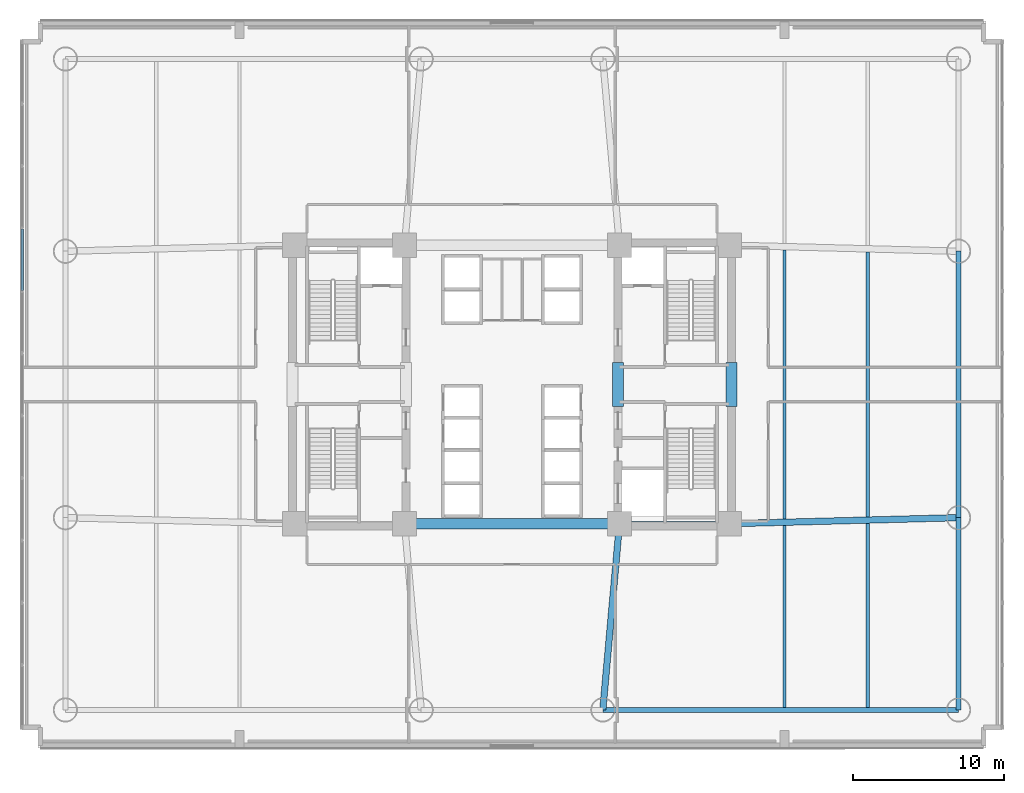
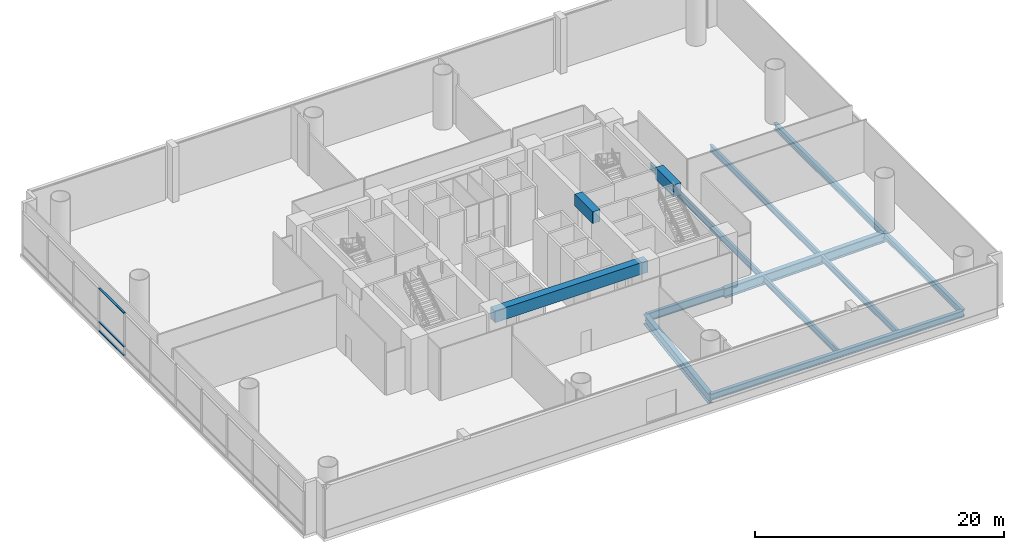
# One storey, part 3 of 15: 13 beams, 3 members, 1 element without a shape of its own.
"""IFC4 building model written with IfcOpenShell, lengths in metres."""

from ifc_helpers import new_model, si_unit, direction, frame, origin, origin_2d, place, context, subcontext, project, spatial, rectangle, i_section, extrude, source, transform, mapped, material, layer, layer_set, material_profile, profile_set, type_object, element, aggregate, save


model = new_model("IFC4")

# Units and contexts
model_context = context("Model", 3, precision=1e-05, world=origin(), true_north=direction((0.0, 1.0)))
body_context = subcontext(model_context, "Body", "Model", "MODEL_VIEW")
ifc_project = project(units=[si_unit("LENGTHUNIT", "METRE"), si_unit("AREAUNIT", "SQUARE_METRE"), si_unit("VOLUMEUNIT", "CUBIC_METRE"), si_unit("PLANEANGLEUNIT", "RADIAN"), si_unit("MASSUNIT", "GRAM", prefix="KILO")], contexts=[model_context])

# Site, building, storey
site_placement = place(None, origin())
site = spatial("IfcSite", under=ifc_project, at=site_placement, CompositionType="ELEMENT")
building_placement = place(site_placement, origin())
building = spatial("IfcBuilding", under=site, at=building_placement, Name="Zahravan Cultural Tower", CompositionType="ELEMENT")
storey_placement = place(building_placement, frame((0.0, 0.0, 7.199951171875)))
storey = spatial("IfcBuildingStorey", under=building, at=storey_placement, Name="L01", CompositionType="ELEMENT", Elevation=7.199951171875)

# Beams
ifc_material_1 = material(Name="Concrete C50/60", Category="concrete")
ifc_material_profile_1 = material_profile(ifc_material_1, rectangle(XDim=0.699951171875, YDim=1.14990234375, at=origin_2d()), Name="RC700X1150")
ifc_profile_set_1 = profile_set([ifc_material_profile_1], Name="Concrete C50/60")
beam_type_1 = type_object("IfcBeamType", Name="BM-LN-RC700X1150", PredefinedType="LINTEL", material=ifc_profile_set_1)
shared_shape_1 = source(origin(), body_context, "Body", "SweptSolid", [
    extrude(rectangle(XDim=0.699951171875, YDim=1.14990234375, at=origin_2d()), origin(), (0.0, 0.0, 1.0), 14.2001953125),
])
beam_1_placement = place(storey_placement, frame((28.89990234375, 17.800048828125, 4.525146484375), z_axis=(1.0, 0.0, 0.0), x_axis=(0.0, 1.0, 0.0)))
element("IfcBeam", 1, at=beam_1_placement, inside=storey, type_object=beam_type_1, Name="L01 Beam LN-L01-S", PredefinedType="LINTEL", context=body_context, shape_type="MappedRepresentation", body=[
    mapped(shared_shape_1, transform((0.0, 0.0, 0.0), x_axis=(1.0, 0.0, 0.0), y_axis=(0.0, 1.0, 0.0), z_axis=(0.0, 0.0, 1.0), scale=1.0)),
])
shared_shape_2 = source(origin(), body_context, "Body", "SweptSolid", [
    extrude(rectangle(XDim=0.699951171875, YDim=1.14990234375, at=origin_2d()), origin(), (0.0, 0.0, 1.0), 2.89990234375),
])
for number, where, z_axis, x_axis, name in (
    (2, (43.0, 25.550048828125, 4.525146484375), (0.0, 1.0, 0.0), (-1.0, 0.0, 0.0), "L01 Beam LN-L01-PEW"),
    (3, (50.5, 25.550048828125, 4.525146484375), (0.0, 1.0, 0.0), (-1.0, 0.0, 0.0), "L01 Beam LN-L01-PEE"),
):
    element("IfcBeam", number, at=place(storey_placement, frame(where, z_axis=z_axis, x_axis=x_axis)), inside=storey, type_object=beam_type_1, Name=name, PredefinedType="LINTEL", context=body_context, shape_type="MappedRepresentation", body=[
        mapped(shared_shape_2, transform((0.0, 0.0, 0.0), x_axis=(1.0, 0.0, 0.0), y_axis=(0.0, 1.0, 0.0), z_axis=(0.0, 0.0, 1.0), scale=1.0)),
    ])
ifc_material_2 = material(Name="Steel ASTM A992 Grade 50", Category="steel")
ifc_material_profile_2 = material_profile(ifc_material_2, i_section(OverallWidth=0.26611328125, OverallDepth=0.780029296875, WebThickness=0.0166015625, FlangeThickness=0.030029296875, FilletRadius=0.01904296875, at=origin_2d()), Name="W30X148")
ifc_profile_set_2 = profile_set([ifc_material_profile_2], Name="Steel ASTM A992 Grade 50")
beam_type_2 = type_object("IfcBeamType", Name="BM-G-W30X148", PredefinedType="BEAM", material=ifc_profile_set_2)
shared_shape_3 = source(origin(), body_context, "Body", "SweptSolid", [
    extrude(i_section(OverallWidth=0.26611328125, OverallDepth=0.780029296875, WebThickness=0.0166015625, FlangeThickness=0.030029296875, FilletRadius=0.01904296875, at=origin_2d()), origin(), (0.0, 0.0, 1.0), 7.25),
])
beam_2_placement = place(storey_placement, frame((43.10009765625, 17.800048828125, -0.68994140625), z_axis=(1.0, 0.0, 0.0), x_axis=(0.0, 1.0, 0.0)))
element("IfcBeam", 4, at=beam_2_placement, inside=storey, type_object=beam_type_2, Name="L01 Beam BG-L01-04", PredefinedType="BEAM", context=body_context, shape_type="MappedRepresentation", body=[
    mapped(shared_shape_3, transform((0.0, 0.0, 0.0), x_axis=(1.0, 0.0, 0.0), y_axis=(0.0, 1.0, 0.0), z_axis=(0.0, 0.0, 1.0), scale=1.0)),
])
ifc_material_profile_3 = material_profile(ifc_material_2, i_section(OverallWidth=0.326904296875, OverallDepth=0.6220703125, WebThickness=0.015380859375, FlangeThickness=0.0244140625, FilletRadius=0.014892578125, at=origin_2d()), Name="W24X131")
ifc_profile_set_3 = profile_set([ifc_material_profile_3], Name="Steel ASTM A992 Grade 50")
beam_type_3 = type_object("IfcBeamType", Name="BM-SP-W24X131", PredefinedType="SPANDREL", material=ifc_profile_set_3)
shared_shape_4 = source(origin(), body_context, "Body", "SweptSolid", [
    extrude(i_section(OverallWidth=0.326904296875, OverallDepth=0.6220703125, WebThickness=0.015380859375, FlangeThickness=0.0244140625, FilletRadius=0.014892578125, at=origin_2d()), origin(), (0.0, 0.0, 1.0), 23.5),
])
beam_3_placement = place(storey_placement, frame((42.0, 5.5, -0.61083984375), z_axis=(1.0, 0.0, 0.0), x_axis=(0.0, 1.0, 0.0)))
element("IfcBeam", 5, at=beam_3_placement, inside=storey, type_object=beam_type_3, Name="L01 Beam BG-L01-09", PredefinedType="SPANDREL", context=body_context, shape_type="MappedRepresentation", body=[
    mapped(shared_shape_4, transform((0.0, 0.0, 0.0), x_axis=(1.0, 0.0, 0.0), y_axis=(0.0, 1.0, 0.0), z_axis=(0.0, 0.0, 1.0), scale=1.0)),
])
shared_shape_5 = source(origin(), body_context, "Body", "SweptSolid", [
    extrude(i_section(OverallWidth=0.326904296875, OverallDepth=0.6220703125, WebThickness=0.015380859375, FlangeThickness=0.0244140625, FilletRadius=0.014892578125, at=origin_2d()), origin(), (0.0, 0.0, 1.0), 12.699951171875),
])
beam_4_placement = place(storey_placement, frame((65.5, 5.5, -0.61083984375), z_axis=(0.0, 1.0, 0.0), x_axis=(-1.0, 0.0, 0.0)))
element("IfcBeam", 6, at=beam_4_placement, inside=storey, type_object=beam_type_3, Name="L01 Beam BG-L01-16", PredefinedType="SPANDREL", context=body_context, shape_type="MappedRepresentation", body=[
    mapped(shared_shape_5, transform((0.0, 0.0, 0.0), x_axis=(1.0, 0.0, 0.0), y_axis=(0.0, 1.0, 0.0), z_axis=(0.0, 0.0, 1.0), scale=1.0)),
])
shared_shape_6 = source(origin(), body_context, "Body", "SweptSolid", [
    extrude(i_section(OverallWidth=0.326904296875, OverallDepth=0.6220703125, WebThickness=0.015380859375, FlangeThickness=0.0244140625, FilletRadius=0.014892578125, at=origin_2d()), origin(), (0.0, 0.0, 1.0), 17.60009765625),
])
beam_5_placement = place(storey_placement, frame((65.5, 18.199951171875, -0.61083984375), z_axis=(0.0, 1.0, 0.0), x_axis=(-1.0, 0.0, 0.0)))
element("IfcBeam", 7, at=beam_5_placement, inside=storey, type_object=beam_type_3, Name="L01 Beam BG-L01-17", PredefinedType="SPANDREL", context=body_context, shape_type="MappedRepresentation", body=[
    mapped(shared_shape_6, transform((0.0, 0.0, 0.0), x_axis=(1.0, 0.0, 0.0), y_axis=(0.0, 1.0, 0.0), z_axis=(0.0, 0.0, 1.0), scale=1.0)),
])
ifc_material_profile_4 = material_profile(ifc_material_2, i_section(OverallWidth=0.425048828125, OverallDepth=0.965087890625, WebThickness=0.0283203125, FlangeThickness=0.051025390625, FilletRadius=0.02392578125, at=origin_2d()), Name="W36X361")
ifc_profile_set_4 = profile_set([ifc_material_profile_4], Name="Steel ASTM A992 Grade 50")
beam_type_4 = type_object("IfcBeamType", Name="BM-G-W36X361", PredefinedType="BEAM", material=ifc_profile_set_4)
shared_shape_7 = source(origin(), body_context, "Body", "SweptSolid", [
    extrude(i_section(OverallWidth=0.425048828125, OverallDepth=0.965087890625, WebThickness=0.0283203125, FlangeThickness=0.051025390625, FilletRadius=0.02392578125, at=origin_2d()), origin(), (0.0, 0.0, 1.0), 15.1552734375),
])
beam_6_placement = place(storey_placement, frame((65.5, 18.199951171875, -0.782470703125), z_axis=(-0.999651797923, -0.026387173188, 0.0), x_axis=(0.026387173188, -0.999651797923, 0.0)))
element("IfcBeam", 8, at=beam_6_placement, inside=storey, type_object=beam_type_4, Name="L01 Beam BG-L01-21", PredefinedType="BEAM", context=body_context, shape_type="MappedRepresentation", body=[
    mapped(shared_shape_7, transform((0.0, 0.0, 0.0), x_axis=(1.0, 0.0, 0.0), y_axis=(0.0, 1.0, 0.0), z_axis=(0.0, 0.0, 1.0), scale=1.0)),
])
shared_shape_8 = source(origin(), body_context, "Body", "SweptSolid", [
    extrude(i_section(OverallWidth=0.425048828125, OverallDepth=0.965087890625, WebThickness=0.0283203125, FlangeThickness=0.051025390625, FilletRadius=0.02392578125, at=origin_2d()), origin(), (0.0, 0.0, 1.0), 12.34912109375),
])
beam_7_placement = place(storey_placement, frame((42.0, 5.5, -0.782470703125), z_axis=(0.089082890706, 0.996024215862, 0.0), x_axis=(-0.996024215862, 0.089082890706, 0.0)))
element("IfcBeam", 9, at=beam_7_placement, inside=storey, type_object=beam_type_4, Name="L01 Beam BG-L01-24", PredefinedType="BEAM", context=body_context, shape_type="MappedRepresentation", body=[
    mapped(shared_shape_8, transform((0.0, 0.0, 0.0), x_axis=(1.0, 0.0, 0.0), y_axis=(0.0, 1.0, 0.0), z_axis=(0.0, 0.0, 1.0), scale=1.0)),
])
ifc_material_profile_5 = material_profile(ifc_material_2, i_section(OverallWidth=0.22998046875, OverallDepth=0.616943359375, WebThickness=0.01318359375, FlangeThickness=0.022216796875, FilletRadius=0.014892578125, at=origin_2d()), Name="W24X94")
ifc_profile_set_5 = profile_set([ifc_material_profile_5], Name="Steel ASTM A992 Grade 50")
beam_type_5 = type_object("IfcBeamType", Name="BM-J-W24X94", PredefinedType="JOIST", material=ifc_profile_set_5)
shared_shape_9 = source(origin(), body_context, "Body", "SweptSolid", [
    extrude(i_section(OverallWidth=0.22998046875, OverallDepth=0.616943359375, WebThickness=0.01318359375, FlangeThickness=0.022216796875, FilletRadius=0.014892578125, at=origin_2d()), origin(), (0.0, 0.0, 1.0), 12.16357421875),
])
beam_8_placement = place(storey_placement, frame((59.5, 5.6650390625, -0.6083984375), z_axis=(0.0, 1.0, 0.0), x_axis=(-1.0, 0.0, 0.0)))
element("IfcBeam", 10, at=beam_8_placement, inside=storey, type_object=beam_type_5, Name="L01 Beam BJ-L01-36", PredefinedType="JOIST", context=body_context, shape_type="MappedRepresentation", body=[
    mapped(shared_shape_9, transform((0.0, 0.0, 0.0), x_axis=(1.0, 0.0, 0.0), y_axis=(0.0, 1.0, 0.0), z_axis=(0.0, 0.0, 1.0), scale=1.0)),
])
shared_shape_10 = source(origin(), body_context, "Body", "SweptSolid", [
    extrude(i_section(OverallWidth=0.22998046875, OverallDepth=0.616943359375, WebThickness=0.01318359375, FlangeThickness=0.022216796875, FilletRadius=0.014892578125, at=origin_2d()), origin(), (0.0, 0.0, 1.0), 17.49072265625),
])
beam_9_placement = place(storey_placement, frame((59.5, 18.254638671875, -0.6083984375), z_axis=(0.0, 1.0, 0.0), x_axis=(-1.0, 0.0, 0.0)))
element("IfcBeam", 11, at=beam_9_placement, inside=storey, type_object=beam_type_5, Name="L01 Beam BJ-L01-37", PredefinedType="JOIST", context=body_context, shape_type="MappedRepresentation", body=[
    mapped(shared_shape_10, transform((0.0, 0.0, 0.0), x_axis=(1.0, 0.0, 0.0), y_axis=(0.0, 1.0, 0.0), z_axis=(0.0, 0.0, 1.0), scale=1.0)),
])
shared_shape_11 = source(origin(), body_context, "Body", "SweptSolid", [
    extrude(i_section(OverallWidth=0.22998046875, OverallDepth=0.616943359375, WebThickness=0.01318359375, FlangeThickness=0.022216796875, FilletRadius=0.014892578125, at=origin_2d()), origin(), (0.0, 0.0, 1.0), 12.018310546875),
])
beam_10_placement = place(storey_placement, frame((54.0, 5.6650390625, -0.6083984375), z_axis=(0.0, 1.0, 0.0), x_axis=(-1.0, 0.0, 0.0)))
element("IfcBeam", 12, at=beam_10_placement, inside=storey, type_object=beam_type_5, Name="L01 Beam BJ-L01-33", PredefinedType="JOIST", context=body_context, shape_type="MappedRepresentation", body=[
    mapped(shared_shape_11, transform((0.0, 0.0, 0.0), x_axis=(1.0, 0.0, 0.0), y_axis=(0.0, 1.0, 0.0), z_axis=(0.0, 0.0, 1.0), scale=1.0)),
])
shared_shape_12 = source(origin(), body_context, "Body", "SweptSolid", [
    extrude(i_section(OverallWidth=0.22998046875, OverallDepth=0.616943359375, WebThickness=0.01318359375, FlangeThickness=0.022216796875, FilletRadius=0.014892578125, at=origin_2d()), origin(), (0.0, 0.0, 1.0), 17.78125),
])
beam_11_placement = place(storey_placement, frame((54.0, 18.109375, -0.6083984375), z_axis=(0.0, 1.0, 0.0), x_axis=(-1.0, 0.0, 0.0)))
element("IfcBeam", 13, at=beam_11_placement, inside=storey, type_object=beam_type_5, Name="L01 Beam BJ-L01-34", PredefinedType="JOIST", context=body_context, shape_type="MappedRepresentation", body=[
    mapped(shared_shape_12, transform((0.0, 0.0, 0.0), x_axis=(1.0, 0.0, 0.0), y_axis=(0.0, 1.0, 0.0), z_axis=(0.0, 0.0, 1.0), scale=1.0)),
])

# Curtain wall, members
ifc_material_3 = material(Name="Anodised bronze-aluminium mullion", Category="aluminium")
ifc_layer = layer(ifc_material_3, 0.239990234375)
ifc_layer_set = layer_set([ifc_layer], Name="Anodised bronze-aluminium mullion")
curtain_wall_type = type_object("IfcCurtainWallType", Name="CW-SYS-5", PredefinedType="USERDEFINED", material=ifc_layer_set)
curtain_wall_placement = place(storey_placement, origin())
curtain_wall = element("IfcCurtainWall", 14, at=curtain_wall_placement, inside=storey, type_object=curtain_wall_type, Name="L01 Recessed Curtain Wall CW-5.2", ObjectType="RECESSED GLAZING", PredefinedType="USERDEFINED")
ifc_material_profile_6 = material_profile(ifc_material_3, rectangle(XDim=0.179931640625, YDim=0.0849609375, at=origin_2d()), Name="AL-T85X180")
ifc_profile_set_6 = profile_set([ifc_material_profile_6], Name="Anodised bronze-aluminium mullion")
member_type = type_object("IfcMemberType", Name="CWT-CW-5", PredefinedType="USERDEFINED", material=ifc_profile_set_6)
shared_shape_13 = source(origin(), body_context, "Body", "SweptSolid", [
    extrude(rectangle(XDim=0.179931640625, YDim=0.0849609375, at=origin_2d()), origin(), (0.0, 0.0, 1.0), 4.03515625),
])
member_1_placement = place(storey_placement, frame((3.639892578125, 33.222412109375, 0.04248046875), z_axis=(0.0, 1.0, 0.0), x_axis=(-1.0, 0.0, 0.0)))
member_1 = element("IfcMember", 15, at=member_1_placement, type_object=member_type, Name="CW-5 transom 8.1", ObjectType="TRANSOM", PredefinedType="USERDEFINED", context=body_context, shape_type="MappedRepresentation", body=[
    mapped(shared_shape_13, transform((0.0, 0.0, 0.0), x_axis=(1.0, 0.0, 0.0), y_axis=(0.0, 1.0, 0.0), z_axis=(0.0, 0.0, 1.0), scale=1.0)),
])
member_2_placement = place(storey_placement, frame((3.639892578125, 33.222412109375, 0.900146484375), z_axis=(0.0, 1.0, 0.0), x_axis=(-1.0, 0.0, 0.0)))
member_2 = element("IfcMember", 16, at=member_2_placement, type_object=member_type, Name="CW-5 transom 8.2", ObjectType="TRANSOM", PredefinedType="USERDEFINED", context=body_context, shape_type="MappedRepresentation", body=[
    mapped(shared_shape_13, transform((0.0, 0.0, 0.0), x_axis=(1.0, 0.0, 0.0), y_axis=(0.0, 1.0, 0.0), z_axis=(0.0, 0.0, 1.0), scale=1.0)),
])
member_3_placement = place(storey_placement, frame((3.639892578125, 33.222412109375, 4.177490234375), z_axis=(0.0, 1.0, 0.0), x_axis=(-1.0, 0.0, 0.0)))
member_3 = element("IfcMember", 17, at=member_3_placement, type_object=member_type, Name="CW-5 transom 8.3", ObjectType="TRANSOM", PredefinedType="USERDEFINED", context=body_context, shape_type="MappedRepresentation", body=[
    mapped(shared_shape_13, transform((0.0, 0.0, 0.0), x_axis=(1.0, 0.0, 0.0), y_axis=(0.0, 1.0, 0.0), z_axis=(0.0, 0.0, 1.0), scale=1.0)),
])
aggregate(curtain_wall, [member_1, member_2, member_3])

save(model, "model.ifc")
